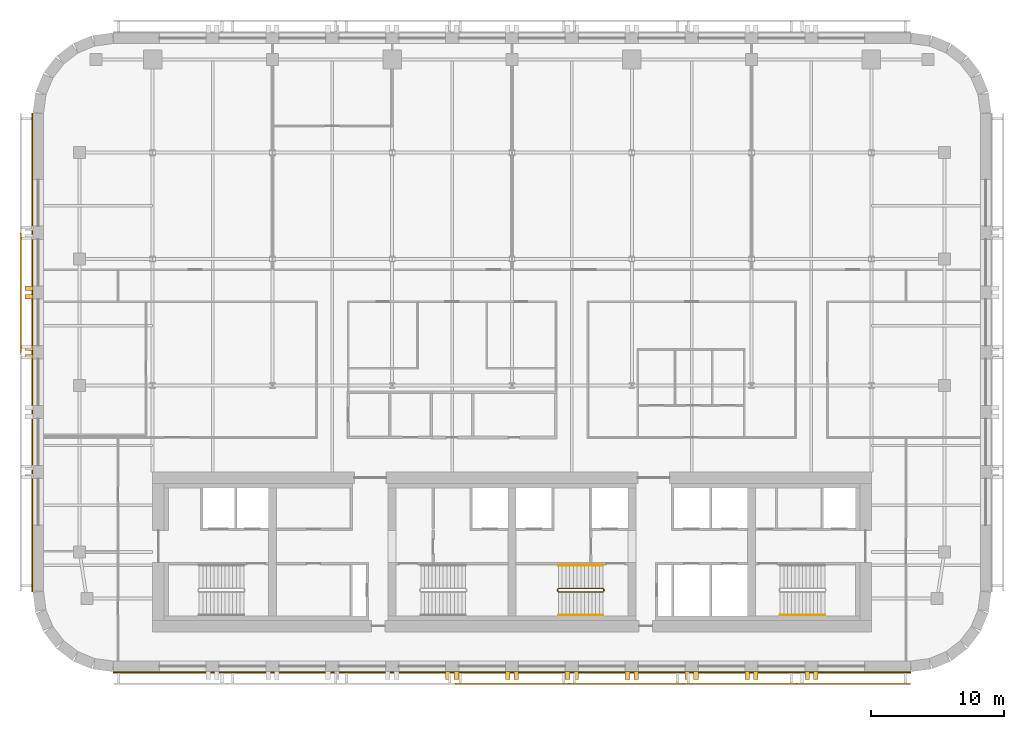
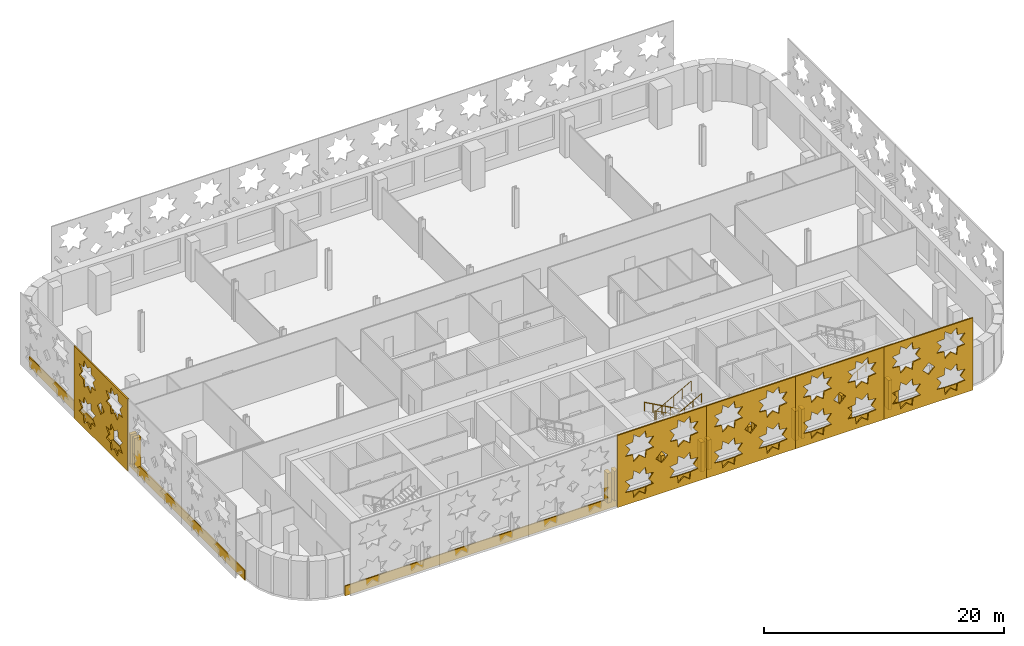
# One storey, part 10 of 12: 25 coverings, 4 railings.
"""IFC4 building model written with IfcOpenShell, lengths in metres."""

from ifc_helpers import new_model, si_unit, direction, frame, origin, origin_2d, place, context, subcontext, project, spatial, polyline, circle, outline, extrude, material, layer, layer_set, type_object, element, save


model = new_model("IFC4")

# Units and contexts
model_context = context("Model", 3, precision=1e-05, world=origin(), true_north=direction((0.0, 1.0)))
body_context = subcontext(model_context, "Body", "Model", "MODEL_VIEW")
ifc_project = project(units=[si_unit("LENGTHUNIT", "METRE"), si_unit("AREAUNIT", "SQUARE_METRE"), si_unit("VOLUMEUNIT", "CUBIC_METRE"), si_unit("PLANEANGLEUNIT", "RADIAN"), si_unit("MASSUNIT", "GRAM", prefix="KILO")], contexts=[model_context])

# Site, building, storey
site_placement = place(None, origin())
site = spatial("IfcSite", under=ifc_project, at=site_placement, CompositionType="ELEMENT")
building_placement = place(site_placement, origin())
building = spatial("IfcBuilding", under=site, at=building_placement, Name="Zellij Exchange Tower", CompositionType="ELEMENT")
storey_placement = place(building_placement, frame((0.0, 0.0, 204.5)))
storey = spatial("IfcBuildingStorey", under=building, at=storey_placement, Name="L47", CompositionType="ELEMENT", Elevation=204.5)

# Railings
ifc_material_1 = material(Name="Stainless steel", Category="steel")
railing_type_1 = type_object("IfcRailingType", Name="CORE-RG stair guard", PredefinedType="GUARDRAIL", material=ifc_material_1)
railing_1_placement = place(storey_placement, frame((6.89990234375, -10.800048828125, 0.0)))
element("IfcRailing", 1, at=railing_1_placement, inside=storey, type_object=railing_type_1, Name="ST3 stair guard L47", PredefinedType="GUARDRAIL", context=body_context, shape_type="SweptSolid", body=[
    extrude(circle(Radius=0.02392578125, at=origin_2d()), frame((0.0, 0.0, 1.076171875), z_axis=(0.0, -1.0, 0.0), x_axis=(1.0, 0.0, 0.0)), (0.0, 0.0, 1.0), 0.14990234375),
    extrude(circle(Radius=0.02392578125, at=origin_2d()), frame((0.0, -0.14990234375, 1.076171875), z_axis=(-0.193691321961, 0.777613689637, 0.598164376644), x_axis=(-0.970351222016, -0.241699205484, 0.0)), (0.0, 0.0, 1.0), 0.257080078125),
    extrude(circle(Radius=0.02392578125, at=origin_2d()), frame((-0.0498046875, 0.050048828125, 1.22998046875), z_axis=(-0.876421534553, 0.0, 0.481544695509), x_axis=(0.0, -1.0, 0.0)), (0.0, 0.0, 1.0), 3.833984375),
    extrude(circle(Radius=0.02392578125, at=origin_2d()), frame((-3.409912109375, 0.050048828125, 3.076171875), z_axis=(-0.707106781187, -0.707106781187, 0.0), x_axis=(0.707106781187, -0.707106781187, 0.0)), (0.0, 0.0, 1.0), 0.07080078125),
    extrude(circle(Radius=0.02392578125, at=origin_2d()), frame((-3.4599609375, 0.0, 3.076171875), z_axis=(0.0, -1.0, 0.0), x_axis=(1.0, 0.0, 0.0)), (0.0, 0.0, 1.0), 0.14990234375),
    extrude(circle(Radius=0.02392578125, at=origin_2d()), frame((-3.4599609375, -0.14990234375, 3.076171875), z_axis=(0.295599637079, -0.295599637079, 0.908428152975), x_axis=(0.707106781187, 0.707106781187, 0.0)), (0.0, 0.0, 1.0), 0.16943359375),
    extrude(circle(Radius=0.02392578125, at=origin_2d()), frame((-3.409912109375, -0.199951171875, 3.22998046875), z_axis=(0.876421534553, 0.0, 0.481544695509), x_axis=(0.0, 1.0, 0.0)), (0.0, 0.0, 1.0), 3.833984375),
    extrude(circle(Radius=0.02099609375, at=origin_2d()), origin(), (0.0, 0.0, 1.0), 1.052001953125),
    extrude(circle(Radius=0.02099609375, at=origin_2d()), frame((0.0, -0.14990234375, 0.0)), (0.0, 0.0, 1.0), 1.052001953125),
    extrude(circle(Radius=0.02099609375, at=origin_2d()), frame((-0.0498046875, 0.050048828125, 0.15380859375)), (0.0, 0.0, 1.0), 1.052001953125),
    extrude(circle(Radius=0.02099609375, at=origin_2d()), frame((-0.889892578125, 0.050048828125, 0.615234375)), (0.0, 0.0, 1.0), 1.052001953125),
    extrude(circle(Radius=0.02099609375, at=origin_2d()), frame((-1.72998046875, 0.050048828125, 1.076904296875)), (0.0, 0.0, 1.0), 1.052001953125),
    extrude(circle(Radius=0.02099609375, at=origin_2d()), frame((-2.56982421875, 0.050048828125, 1.53857421875)), (0.0, 0.0, 1.0), 1.052001953125),
    extrude(circle(Radius=0.02099609375, at=origin_2d()), frame((-3.409912109375, 0.050048828125, 2.0)), (0.0, 0.0, 1.0), 1.052001953125),
    extrude(circle(Radius=0.02099609375, at=origin_2d()), frame((-3.4599609375, 0.0, 2.0)), (0.0, 0.0, 1.0), 1.052001953125),
    extrude(circle(Radius=0.02099609375, at=origin_2d()), frame((-3.4599609375, -0.14990234375, 2.0)), (0.0, 0.0, 1.0), 1.052001953125),
    extrude(circle(Radius=0.02099609375, at=origin_2d()), frame((-3.409912109375, -0.199951171875, 2.15380859375)), (0.0, 0.0, 1.0), 1.052001953125),
    extrude(circle(Radius=0.02099609375, at=origin_2d()), frame((-2.56982421875, -0.199951171875, 2.615234375)), (0.0, 0.0, 1.0), 1.052001953125),
    extrude(circle(Radius=0.02099609375, at=origin_2d()), frame((-1.72998046875, -0.199951171875, 3.076904296875)), (0.0, 0.0, 1.0), 1.052001953125),
    extrude(circle(Radius=0.02099609375, at=origin_2d()), frame((-0.889892578125, -0.199951171875, 3.53857421875)), (0.0, 0.0, 1.0), 1.052001953125),
    extrude(circle(Radius=0.02099609375, at=origin_2d()), frame((-0.0498046875, -0.199951171875, 4.0)), (0.0, 0.0, 1.0), 1.052001953125),
])
railing_type_2 = type_object("IfcRailingType", Name="CORE-RH stair handrail", PredefinedType="HANDRAIL", material=ifc_material_1)
railing_2_placement = place(storey_placement, frame((6.85009765625, -9.0, 0.15380859375)))
element("IfcRailing", 2, at=railing_2_placement, inside=storey, type_object=railing_type_2, Name="ST3 stair handrail L47", PredefinedType="HANDRAIL", context=body_context, shape_type="SweptSolid", body=[
    extrude(circle(Radius=0.02392578125, at=origin_2d()), frame((0.0, 0.0, 0.8759765625), z_axis=(-0.876421534553, 0.0, 0.481544695509), x_axis=(0.0, -1.0, 0.0)), (0.0, 0.0, 1.0), 3.833984375),
    extrude(circle(Radius=0.02099609375, at=origin_2d()), origin(), (0.0, 0.0, 1.0), 0.851806640625),
    extrude(circle(Radius=0.02099609375, at=origin_2d()), frame((-0.840087890625, 0.0, 0.46142578125)), (0.0, 0.0, 1.0), 0.851806640625),
    extrude(circle(Radius=0.02099609375, at=origin_2d()), frame((-1.68017578125, 0.0, 0.923095703125)), (0.0, 0.0, 1.0), 0.851806640625),
    extrude(circle(Radius=0.02099609375, at=origin_2d()), frame((-2.52001953125, 0.0, 1.384765625)), (0.0, 0.0, 1.0), 0.851806640625),
    extrude(circle(Radius=0.02099609375, at=origin_2d()), frame((-3.360107421875, 0.0, 1.84619140625)), (0.0, 0.0, 1.0), 0.851806640625),
])
for number, where, name in (
    (3, (3.489990234375, -12.75, 2.15380859375), "ST3 stair handrail L47"),
    (4, (20.14990234375, -12.75, 0.15380859375), "ST4 stair handrail L47"),
):
    element("IfcRailing", number, at=place(storey_placement, frame(where)), inside=storey, type_object=railing_type_2, Name=name, PredefinedType="HANDRAIL", context=body_context, shape_type="SweptSolid", body=[
        extrude(circle(Radius=0.02392578125, at=origin_2d()), frame((0.0, 0.0, 0.8759765625), z_axis=(0.876421534553, 0.0, 0.481544695509), x_axis=(0.0, 1.0, 0.0)), (0.0, 0.0, 1.0), 3.833984375),
        extrude(circle(Radius=0.02099609375, at=origin_2d()), origin(), (0.0, 0.0, 1.0), 0.851806640625),
        extrude(circle(Radius=0.02099609375, at=origin_2d()), frame((0.840087890625, 0.0, 0.46142578125)), (0.0, 0.0, 1.0), 0.851806640625),
        extrude(circle(Radius=0.02099609375, at=origin_2d()), frame((1.68017578125, 0.0, 0.923095703125)), (0.0, 0.0, 1.0), 0.851806640625),
        extrude(circle(Radius=0.02099609375, at=origin_2d()), frame((2.52001953125, 0.0, 1.384765625)), (0.0, 0.0, 1.0), 0.851806640625),
        extrude(circle(Radius=0.02099609375, at=origin_2d()), frame((3.360107421875, 0.0, 1.84619140625)), (0.0, 0.0, 1.0), 0.851806640625),
    ])

# Coverings
ifc_material_2 = material(Name="Limestone cladding", Category="masonry")
covering_type_1 = type_object("IfcCoveringType", Name="ENV-CV3 Stone pier 350x600", PredefinedType="CLADDING", material=ifc_material_2)
covering_1_placement = place(storey_placement, frame((0.0, 0.0, 0.800048828125)))
element("IfcCovering", 5, at=covering_1_placement, inside=storey, type_object=covering_type_1, Name="Stone pier", PredefinedType="CLADDING", context=body_context, shape_type="SweptSolid", body=[
    extrude(outline(polyline([(-5.0, -17.0), (-4.64990234375, -17.0), (-4.64990234375, -17.60009765625), (-5.0, -17.60009765625), (-5.0, -17.0)])), origin(), (0.0, 0.0, 1.0), 3.0),
])
covering_2_placement = place(storey_placement, frame((0.0, 0.0, 0.800048828125)))
element("IfcCovering", 6, at=covering_2_placement, inside=storey, type_object=covering_type_1, Name="Stone pier", PredefinedType="CLADDING", context=body_context, shape_type="SweptSolid", body=[
    extrude(outline(polyline([(-4.35009765625, -17.0), (-4.0, -17.0), (-4.0, -17.60009765625), (-4.35009765625, -17.60009765625), (-4.35009765625, -17.0)])), origin(), (0.0, 0.0, 1.0), 3.0),
])
covering_3_placement = place(storey_placement, frame((0.0, 0.0, 0.800048828125)))
element("IfcCovering", 7, at=covering_3_placement, inside=storey, type_object=covering_type_1, Name="Stone pier", PredefinedType="CLADDING", context=body_context, shape_type="SweptSolid", body=[
    extrude(outline(polyline([(-0.5, -17.0), (-0.14990234375, -17.0), (-0.14990234375, -17.60009765625), (-0.5, -17.60009765625), (-0.5, -17.0)])), origin(), (0.0, 0.0, 1.0), 3.0),
])
covering_4_placement = place(storey_placement, frame((0.0, 0.0, 0.800048828125)))
element("IfcCovering", 8, at=covering_4_placement, inside=storey, type_object=covering_type_1, Name="Stone pier", PredefinedType="CLADDING", context=body_context, shape_type="SweptSolid", body=[
    extrude(outline(polyline([(0.14990234375, -17.0), (0.5, -17.0), (0.5, -17.60009765625), (0.14990234375, -17.60009765625), (0.14990234375, -17.0)])), origin(), (0.0, 0.0, 1.0), 3.0),
])
covering_5_placement = place(storey_placement, frame((0.0, 0.0, 0.800048828125)))
element("IfcCovering", 9, at=covering_5_placement, inside=storey, type_object=covering_type_1, Name="Stone pier", PredefinedType="CLADDING", context=body_context, shape_type="SweptSolid", body=[
    extrude(outline(polyline([(4.0, -17.0), (4.35009765625, -17.0), (4.35009765625, -17.60009765625), (4.0, -17.60009765625), (4.0, -17.0)])), origin(), (0.0, 0.0, 1.0), 3.0),
])
covering_6_placement = place(storey_placement, frame((0.0, 0.0, 0.800048828125)))
element("IfcCovering", 10, at=covering_6_placement, inside=storey, type_object=covering_type_1, Name="Stone pier", PredefinedType="CLADDING", context=body_context, shape_type="SweptSolid", body=[
    extrude(outline(polyline([(4.64990234375, -17.0), (5.0, -17.0), (5.0, -17.60009765625), (4.64990234375, -17.60009765625), (4.64990234375, -17.0)])), origin(), (0.0, 0.0, 1.0), 3.0),
])
covering_7_placement = place(storey_placement, frame((0.0, 0.0, 0.800048828125)))
element("IfcCovering", 11, at=covering_7_placement, inside=storey, type_object=covering_type_1, Name="Stone pier", PredefinedType="CLADDING", context=body_context, shape_type="SweptSolid", body=[
    extrude(outline(polyline([(8.5, -17.0), (8.85009765625, -17.0), (8.85009765625, -17.60009765625), (8.5, -17.60009765625), (8.5, -17.0)])), origin(), (0.0, 0.0, 1.0), 3.0),
])
covering_8_placement = place(storey_placement, frame((0.0, 0.0, 0.800048828125)))
element("IfcCovering", 12, at=covering_8_placement, inside=storey, type_object=covering_type_1, Name="Stone pier", PredefinedType="CLADDING", context=body_context, shape_type="SweptSolid", body=[
    extrude(outline(polyline([(9.14990234375, -17.0), (9.5, -17.0), (9.5, -17.60009765625), (9.14990234375, -17.60009765625), (9.14990234375, -17.0)])), origin(), (0.0, 0.0, 1.0), 3.0),
])
covering_9_placement = place(storey_placement, frame((0.0, 0.0, 0.800048828125)))
element("IfcCovering", 13, at=covering_9_placement, inside=storey, type_object=covering_type_1, Name="Stone pier", PredefinedType="CLADDING", context=body_context, shape_type="SweptSolid", body=[
    extrude(outline(polyline([(13.0, -17.0), (13.35009765625, -17.0), (13.35009765625, -17.60009765625), (13.0, -17.60009765625), (13.0, -17.0)])), origin(), (0.0, 0.0, 1.0), 3.0),
])
covering_10_placement = place(storey_placement, frame((0.0, 0.0, 0.800048828125)))
element("IfcCovering", 14, at=covering_10_placement, inside=storey, type_object=covering_type_1, Name="Stone pier", PredefinedType="CLADDING", context=body_context, shape_type="SweptSolid", body=[
    extrude(outline(polyline([(13.64990234375, -17.0), (14.0, -17.0), (14.0, -17.60009765625), (13.64990234375, -17.60009765625), (13.64990234375, -17.0)])), origin(), (0.0, 0.0, 1.0), 3.0),
])
covering_11_placement = place(storey_placement, frame((0.0, 0.0, 0.800048828125)))
element("IfcCovering", 15, at=covering_11_placement, inside=storey, type_object=covering_type_1, Name="Stone pier", PredefinedType="CLADDING", context=body_context, shape_type="SweptSolid", body=[
    extrude(outline(polyline([(17.5, -17.0), (17.85009765625, -17.0), (17.85009765625, -17.60009765625), (17.5, -17.60009765625), (17.5, -17.0)])), origin(), (0.0, 0.0, 1.0), 3.0),
])
covering_12_placement = place(storey_placement, frame((0.0, 0.0, 0.800048828125)))
element("IfcCovering", 16, at=covering_12_placement, inside=storey, type_object=covering_type_1, Name="Stone pier", PredefinedType="CLADDING", context=body_context, shape_type="SweptSolid", body=[
    extrude(outline(polyline([(18.14990234375, -17.0), (18.5, -17.0), (18.5, -17.60009765625), (18.14990234375, -17.60009765625), (18.14990234375, -17.0)])), origin(), (0.0, 0.0, 1.0), 3.0),
])
covering_13_placement = place(storey_placement, frame((0.0, 0.0, 0.800048828125)))
element("IfcCovering", 17, at=covering_13_placement, inside=storey, type_object=covering_type_1, Name="Stone pier", PredefinedType="CLADDING", context=body_context, shape_type="SweptSolid", body=[
    extrude(outline(polyline([(22.0, -17.0), (22.35009765625, -17.0), (22.35009765625, -17.60009765625), (22.0, -17.60009765625), (22.0, -17.0)])), origin(), (0.0, 0.0, 1.0), 3.0),
])
covering_14_placement = place(storey_placement, frame((0.0, 0.0, 0.800048828125)))
element("IfcCovering", 18, at=covering_14_placement, inside=storey, type_object=covering_type_1, Name="Stone pier", PredefinedType="CLADDING", context=body_context, shape_type="SweptSolid", body=[
    extrude(outline(polyline([(22.64990234375, -17.0), (23.0, -17.0), (23.0, -17.60009765625), (22.64990234375, -17.60009765625), (22.64990234375, -17.0)])), origin(), (0.0, 0.0, 1.0), 3.0),
])
covering_15_placement = place(storey_placement, frame((0.0, 0.0, 0.800048828125)))
element("IfcCovering", 19, at=covering_15_placement, inside=storey, type_object=covering_type_1, Name="Stone pier", PredefinedType="CLADDING", context=body_context, shape_type="SweptSolid", body=[
    extrude(outline(polyline([(-36.0, 11.993408203125), (-36.0, 11.6435546875), (-36.60009765625, 11.6435546875), (-36.60009765625, 11.993408203125), (-36.0, 11.993408203125)])), origin(), (0.0, 0.0, 1.0), 3.0),
])
covering_16_placement = place(storey_placement, frame((0.0, 0.0, 0.800048828125)))
element("IfcCovering", 20, at=covering_16_placement, inside=storey, type_object=covering_type_1, Name="Stone pier", PredefinedType="CLADDING", context=body_context, shape_type="SweptSolid", body=[
    extrude(outline(polyline([(-36.0, 11.343505859375), (-36.0, 10.993408203125), (-36.60009765625, 10.993408203125), (-36.60009765625, 11.343505859375), (-36.0, 11.343505859375)])), origin(), (0.0, 0.0, 1.0), 3.0),
])
covering_17_placement = place(storey_placement, frame((0.0, 0.0, 0.800048828125)))
element("IfcCovering", 21, at=covering_17_placement, inside=storey, type_object=covering_type_1, Name="Stone pier", PredefinedType="CLADDING", context=body_context, shape_type="SweptSolid", body=[
    extrude(outline(polyline([(-36.0, 7.5), (-36.0, 7.14990234375), (-36.60009765625, 7.14990234375), (-36.60009765625, 7.5), (-36.0, 7.5)])), origin(), (0.0, 0.0, 1.0), 3.0),
])
covering_18_placement = place(storey_placement, frame((0.0, 0.0, 0.800048828125)))
element("IfcCovering", 22, at=covering_18_placement, inside=storey, type_object=covering_type_1, Name="Stone pier", PredefinedType="CLADDING", context=body_context, shape_type="SweptSolid", body=[
    extrude(outline(polyline([(-36.0, 6.85009765625), (-36.0, 6.5), (-36.60009765625, 6.5), (-36.60009765625, 6.85009765625), (-36.0, 6.85009765625)])), origin(), (0.0, 0.0, 1.0), 3.0),
])
ifc_layer_1 = layer(ifc_material_2, 0.10009765625)
ifc_layer_set_1 = layer_set([ifc_layer_1], Name="Limestone cladding")
covering_type_2 = type_object("IfcCoveringType", Name="ENV-CV9 Stone spandrel band 100", PredefinedType="CLADDING", material=ifc_layer_set_1)
covering_19_placement = place(storey_placement, frame((0.0, 0.0, -0.199951171875)))
element("IfcCovering", 23, at=covering_19_placement, inside=storey, type_object=covering_type_2, Name="Stone spandrel band", PredefinedType="CLADDING", context=body_context, shape_type="SweptSolid", body=[
    extrude(outline(polyline([(-29.973876953125, -17.0), (29.973876953125, -17.0), (29.980224609375, -17.10009765625), (-29.980224609375, -17.10009765625), (-29.973876953125, -17.0)])), origin(), (0.0, 0.0, 1.0), 1.0),
])
covering_20_placement = place(storey_placement, frame((0.0, 0.0, -0.199951171875)))
element("IfcCovering", 24, at=covering_20_placement, inside=storey, type_object=covering_type_2, Name="Stone spandrel band", PredefinedType="CLADDING", context=body_context, shape_type="SweptSolid", body=[
    extrude(outline(polyline([(-36.0, 24.973876953125), (-36.0, -10.973876953125), (-36.10009765625, -10.980224609375), (-36.10009765625, 24.980224609375), (-36.0, 24.973876953125)])), origin(), (0.0, 0.0, 1.0), 1.0),
])
ifc_material_3 = material(Name="Limestone screen", Category="masonry")
ifc_layer_2 = layer(ifc_material_3, 0.1201171875)
ifc_layer_set_2 = layer_set([ifc_layer_2], Name="Limestone screen")
covering_type_3 = type_object("IfcCoveringType", Name="ENV-SC1 Pierced stone screen 120", PredefinedType="USERDEFINED", material=ifc_layer_set_2)
covering_21_placement = place(storey_placement, frame((-36.909912109375, 15.973876953125, 0.300048828125), z_axis=(0.0, 0.0, 1.0), x_axis=(0.0, -1.0, 0.0)))
element("IfcCovering", 25, at=covering_21_placement, inside=storey, type_object=covering_type_3, Name="Pierced stone screen", ObjectType="SCREEN", PredefinedType="USERDEFINED", context=body_context, shape_type="SweptSolid", body=[
    extrude(outline(polyline([(0.0, 0.0), (8.973876953125, 0.0), (8.973876953125, 7.35009765625), (0.0, 7.35009765625), (0.0, 0.0)]), holes=[polyline([(3.6015625, 2.39990234375), (2.887939453125, 2.48193359375), (2.805908203125, 3.195556640625), (2.243408203125, 2.748779296875), (1.680908203125, 3.195556640625), (1.59912109375, 2.48193359375), (0.88525390625, 2.39990234375), (1.33203125, 1.83740234375), (0.88525390625, 1.27490234375), (1.59912109375, 1.193115234375), (1.680908203125, 0.4794921875), (2.243408203125, 0.926025390625), (2.805908203125, 0.4794921875), (2.887939453125, 1.193115234375), (3.6015625, 1.27490234375), (3.15478515625, 1.83740234375), (3.6015625, 2.39990234375)]), polyline([(3.6015625, 6.074951171875), (2.887939453125, 6.156982421875), (2.805908203125, 6.87060546875), (2.243408203125, 6.423828125), (1.680908203125, 6.87060546875), (1.59912109375, 6.156982421875), (0.88525390625, 6.074951171875), (1.33203125, 5.512451171875), (0.88525390625, 4.949951171875), (1.59912109375, 4.867919921875), (1.680908203125, 4.154296875), (2.243408203125, 4.60107421875), (2.805908203125, 4.154296875), (2.887939453125, 4.867919921875), (3.6015625, 4.949951171875), (3.15478515625, 5.512451171875), (3.6015625, 6.074951171875)]), polyline([(8.08837890625, 2.39990234375), (7.374755859375, 2.48193359375), (7.29296875, 3.195556640625), (6.730224609375, 2.748779296875), (6.167724609375, 3.195556640625), (6.0859375, 2.48193359375), (5.372314453125, 2.39990234375), (5.81884765625, 1.83740234375), (5.372314453125, 1.27490234375), (6.0859375, 1.193115234375), (6.167724609375, 0.4794921875), (6.730224609375, 0.926025390625), (7.29296875, 0.4794921875), (7.374755859375, 1.193115234375), (8.08837890625, 1.27490234375), (7.6416015625, 1.83740234375), (8.08837890625, 2.39990234375)]), polyline([(8.08837890625, 6.074951171875), (7.374755859375, 6.156982421875), (7.29296875, 6.87060546875), (6.730224609375, 6.423828125), (6.167724609375, 6.87060546875), (6.0859375, 6.156982421875), (5.372314453125, 6.074951171875), (5.81884765625, 5.512451171875), (5.372314453125, 4.949951171875), (6.0859375, 4.867919921875), (6.167724609375, 4.154296875), (6.730224609375, 4.60107421875), (7.29296875, 4.154296875), (7.374755859375, 4.867919921875), (8.08837890625, 4.949951171875), (7.6416015625, 5.512451171875), (8.08837890625, 6.074951171875)]), polyline([(5.074951171875, 3.675048828125), (4.48681640625, 4.262939453125), (3.89892578125, 3.675048828125), (4.48681640625, 3.0869140625), (5.074951171875, 3.675048828125)])]), frame((0.0, 0.06005859375, 0.0), z_axis=(0.0, -1.0, 0.0), x_axis=(1.0, 0.0, 0.0)), (0.0, 0.0, 1.0), 0.1201171875),
])
covering_22_placement = place(storey_placement, frame((-4.2783203125, -17.909912109375, 0.300048828125), z_axis=(0.0, 0.0, 1.0), x_axis=(1.0, 0.0, 0.0)))
element("IfcCovering", 26, at=covering_22_placement, inside=storey, type_object=covering_type_3, Name="Pierced stone screen", ObjectType="SCREEN", PredefinedType="USERDEFINED", context=body_context, shape_type="SweptSolid", body=[
    extrude(outline(polyline([(0.0, 0.0), (8.556396484375, 0.0), (8.556396484375, 7.35009765625), (0.0, 7.35009765625), (0.0, 0.0)]), holes=[polyline([(3.497314453125, 2.39990234375), (2.78369140625, 2.48193359375), (2.70166015625, 3.195556640625), (2.13916015625, 2.748779296875), (1.57666015625, 3.195556640625), (1.49462890625, 2.48193359375), (0.781005859375, 2.39990234375), (1.227783203125, 1.83740234375), (0.781005859375, 1.27490234375), (1.49462890625, 1.193115234375), (1.57666015625, 0.4794921875), (2.13916015625, 0.926025390625), (2.70166015625, 0.4794921875), (2.78369140625, 1.193115234375), (3.497314453125, 1.27490234375), (3.050537109375, 1.83740234375), (3.497314453125, 2.39990234375)]), polyline([(3.497314453125, 6.074951171875), (2.78369140625, 6.156982421875), (2.70166015625, 6.87060546875), (2.13916015625, 6.423828125), (1.57666015625, 6.87060546875), (1.49462890625, 6.156982421875), (0.781005859375, 6.074951171875), (1.227783203125, 5.512451171875), (0.781005859375, 4.949951171875), (1.49462890625, 4.867919921875), (1.57666015625, 4.154296875), (2.13916015625, 4.60107421875), (2.70166015625, 4.154296875), (2.78369140625, 4.867919921875), (3.497314453125, 4.949951171875), (3.050537109375, 5.512451171875), (3.497314453125, 6.074951171875)]), polyline([(7.775390625, 2.39990234375), (7.061767578125, 2.48193359375), (6.97998046875, 3.195556640625), (6.417236328125, 2.748779296875), (5.854736328125, 3.195556640625), (5.77294921875, 2.48193359375), (5.05908203125, 2.39990234375), (5.505859375, 1.83740234375), (5.05908203125, 1.27490234375), (5.77294921875, 1.193115234375), (5.854736328125, 0.4794921875), (6.417236328125, 0.926025390625), (6.97998046875, 0.4794921875), (7.061767578125, 1.193115234375), (7.775390625, 1.27490234375), (7.32861328125, 1.83740234375), (7.775390625, 2.39990234375)]), polyline([(7.775390625, 6.074951171875), (7.061767578125, 6.156982421875), (6.97998046875, 6.87060546875), (6.417236328125, 6.423828125), (5.854736328125, 6.87060546875), (5.77294921875, 6.156982421875), (5.05908203125, 6.074951171875), (5.505859375, 5.512451171875), (5.05908203125, 4.949951171875), (5.77294921875, 4.867919921875), (5.854736328125, 4.154296875), (6.417236328125, 4.60107421875), (6.97998046875, 4.154296875), (7.061767578125, 4.867919921875), (7.775390625, 4.949951171875), (7.32861328125, 5.512451171875), (7.775390625, 6.074951171875)]), polyline([(4.8662109375, 3.675048828125), (4.2783203125, 4.262939453125), (3.690185546875, 3.675048828125), (4.2783203125, 3.0869140625), (4.8662109375, 3.675048828125)])]), frame((0.0, 0.06005859375, 0.0), z_axis=(0.0, -1.0, 0.0), x_axis=(1.0, 0.0, 0.0)), (0.0, 0.0, 1.0), 0.1201171875),
])
covering_23_placement = place(storey_placement, frame((4.2783203125, -17.909912109375, 0.300048828125), z_axis=(0.0, 0.0, 1.0), x_axis=(1.0, 0.0, 0.0)))
element("IfcCovering", 27, at=covering_23_placement, inside=storey, type_object=covering_type_3, Name="Pierced stone screen", ObjectType="SCREEN", PredefinedType="USERDEFINED", context=body_context, shape_type="SweptSolid", body=[
    extrude(outline(polyline([(0.0, 0.0), (8.556396484375, 0.0), (8.556396484375, 7.35009765625), (0.0, 7.35009765625), (0.0, 0.0)]), holes=[polyline([(3.497314453125, 2.39990234375), (2.78369140625, 2.48193359375), (2.70166015625, 3.195556640625), (2.13916015625, 2.748779296875), (1.57666015625, 3.195556640625), (1.49462890625, 2.48193359375), (0.781005859375, 2.39990234375), (1.227783203125, 1.83740234375), (0.781005859375, 1.27490234375), (1.49462890625, 1.193115234375), (1.57666015625, 0.4794921875), (2.13916015625, 0.926025390625), (2.70166015625, 0.4794921875), (2.78369140625, 1.193115234375), (3.497314453125, 1.27490234375), (3.050537109375, 1.83740234375), (3.497314453125, 2.39990234375)]), polyline([(3.497314453125, 6.074951171875), (2.78369140625, 6.156982421875), (2.70166015625, 6.87060546875), (2.13916015625, 6.423828125), (1.57666015625, 6.87060546875), (1.49462890625, 6.156982421875), (0.781005859375, 6.074951171875), (1.227783203125, 5.512451171875), (0.781005859375, 4.949951171875), (1.49462890625, 4.867919921875), (1.57666015625, 4.154296875), (2.13916015625, 4.60107421875), (2.70166015625, 4.154296875), (2.78369140625, 4.867919921875), (3.497314453125, 4.949951171875), (3.050537109375, 5.512451171875), (3.497314453125, 6.074951171875)]), polyline([(7.775390625, 2.39990234375), (7.061767578125, 2.48193359375), (6.97998046875, 3.195556640625), (6.417236328125, 2.748779296875), (5.854736328125, 3.195556640625), (5.77294921875, 2.48193359375), (5.05908203125, 2.39990234375), (5.505859375, 1.83740234375), (5.05908203125, 1.27490234375), (5.77294921875, 1.193115234375), (5.854736328125, 0.4794921875), (6.417236328125, 0.926025390625), (6.97998046875, 0.4794921875), (7.061767578125, 1.193115234375), (7.775390625, 1.27490234375), (7.32861328125, 1.83740234375), (7.775390625, 2.39990234375)]), polyline([(7.775390625, 6.074951171875), (7.061767578125, 6.156982421875), (6.97998046875, 6.87060546875), (6.417236328125, 6.423828125), (5.854736328125, 6.87060546875), (5.77294921875, 6.156982421875), (5.05908203125, 6.074951171875), (5.505859375, 5.512451171875), (5.05908203125, 4.949951171875), (5.77294921875, 4.867919921875), (5.854736328125, 4.154296875), (6.417236328125, 4.60107421875), (6.97998046875, 4.154296875), (7.061767578125, 4.867919921875), (7.775390625, 4.949951171875), (7.32861328125, 5.512451171875), (7.775390625, 6.074951171875)]), polyline([(4.8662109375, 3.675048828125), (4.2783203125, 4.262939453125), (3.690185546875, 3.675048828125), (4.2783203125, 3.0869140625), (4.8662109375, 3.675048828125)])]), frame((0.0, 0.06005859375, 0.0), z_axis=(0.0, -1.0, 0.0), x_axis=(1.0, 0.0, 0.0)), (0.0, 0.0, 1.0), 0.1201171875),
])
covering_24_placement = place(storey_placement, frame((12.834716796875, -17.909912109375, 0.300048828125), z_axis=(0.0, 0.0, 1.0), x_axis=(1.0, 0.0, 0.0)))
element("IfcCovering", 28, at=covering_24_placement, inside=storey, type_object=covering_type_3, Name="Pierced stone screen", ObjectType="SCREEN", PredefinedType="USERDEFINED", context=body_context, shape_type="SweptSolid", body=[
    extrude(outline(polyline([(0.0, 0.0), (8.556396484375, 0.0), (8.556396484375, 7.35009765625), (0.0, 7.35009765625), (0.0, 0.0)]), holes=[polyline([(3.497314453125, 2.39990234375), (2.78369140625, 2.48193359375), (2.70166015625, 3.195556640625), (2.13916015625, 2.748779296875), (1.57666015625, 3.195556640625), (1.49462890625, 2.48193359375), (0.781005859375, 2.39990234375), (1.227783203125, 1.83740234375), (0.781005859375, 1.27490234375), (1.49462890625, 1.193115234375), (1.57666015625, 0.4794921875), (2.13916015625, 0.926025390625), (2.70166015625, 0.4794921875), (2.78369140625, 1.193115234375), (3.497314453125, 1.27490234375), (3.050537109375, 1.83740234375), (3.497314453125, 2.39990234375)]), polyline([(3.497314453125, 6.074951171875), (2.78369140625, 6.156982421875), (2.70166015625, 6.87060546875), (2.13916015625, 6.423828125), (1.57666015625, 6.87060546875), (1.49462890625, 6.156982421875), (0.781005859375, 6.074951171875), (1.227783203125, 5.512451171875), (0.781005859375, 4.949951171875), (1.49462890625, 4.867919921875), (1.57666015625, 4.154296875), (2.13916015625, 4.60107421875), (2.70166015625, 4.154296875), (2.78369140625, 4.867919921875), (3.497314453125, 4.949951171875), (3.050537109375, 5.512451171875), (3.497314453125, 6.074951171875)]), polyline([(7.775390625, 2.39990234375), (7.061767578125, 2.48193359375), (6.97998046875, 3.195556640625), (6.417236328125, 2.748779296875), (5.854736328125, 3.195556640625), (5.77294921875, 2.48193359375), (5.05908203125, 2.39990234375), (5.505859375, 1.83740234375), (5.05908203125, 1.27490234375), (5.77294921875, 1.193115234375), (5.854736328125, 0.4794921875), (6.417236328125, 0.926025390625), (6.97998046875, 0.4794921875), (7.061767578125, 1.193115234375), (7.775390625, 1.27490234375), (7.32861328125, 1.83740234375), (7.775390625, 2.39990234375)]), polyline([(7.775390625, 6.074951171875), (7.061767578125, 6.156982421875), (6.97998046875, 6.87060546875), (6.417236328125, 6.423828125), (5.854736328125, 6.87060546875), (5.77294921875, 6.156982421875), (5.05908203125, 6.074951171875), (5.505859375, 5.512451171875), (5.05908203125, 4.949951171875), (5.77294921875, 4.867919921875), (5.854736328125, 4.154296875), (6.417236328125, 4.60107421875), (6.97998046875, 4.154296875), (7.061767578125, 4.867919921875), (7.775390625, 4.949951171875), (7.32861328125, 5.512451171875), (7.775390625, 6.074951171875)]), polyline([(4.8662109375, 3.675048828125), (4.2783203125, 4.262939453125), (3.690185546875, 3.675048828125), (4.2783203125, 3.0869140625), (4.8662109375, 3.675048828125)])]), frame((0.0, 0.06005859375, 0.0), z_axis=(0.0, -1.0, 0.0), x_axis=(1.0, 0.0, 0.0)), (0.0, 0.0, 1.0), 0.1201171875),
])
covering_25_placement = place(storey_placement, frame((21.39111328125, -17.909912109375, 0.300048828125), z_axis=(0.0, 0.0, 1.0), x_axis=(1.0, 0.0, 0.0)))
element("IfcCovering", 29, at=covering_25_placement, inside=storey, type_object=covering_type_3, Name="Pierced stone screen", ObjectType="SCREEN", PredefinedType="USERDEFINED", context=body_context, shape_type="SweptSolid", body=[
    extrude(outline(polyline([(0.0, 0.0), (8.556396484375, 0.0), (8.556396484375, 7.35009765625), (0.0, 7.35009765625), (0.0, 0.0)]), holes=[polyline([(3.497314453125, 2.39990234375), (2.78369140625, 2.48193359375), (2.70166015625, 3.195556640625), (2.13916015625, 2.748779296875), (1.57666015625, 3.195556640625), (1.49462890625, 2.48193359375), (0.781005859375, 2.39990234375), (1.227783203125, 1.83740234375), (0.781005859375, 1.27490234375), (1.49462890625, 1.193115234375), (1.57666015625, 0.4794921875), (2.13916015625, 0.926025390625), (2.70166015625, 0.4794921875), (2.78369140625, 1.193115234375), (3.497314453125, 1.27490234375), (3.050537109375, 1.83740234375), (3.497314453125, 2.39990234375)]), polyline([(3.497314453125, 6.074951171875), (2.78369140625, 6.156982421875), (2.70166015625, 6.87060546875), (2.13916015625, 6.423828125), (1.57666015625, 6.87060546875), (1.49462890625, 6.156982421875), (0.781005859375, 6.074951171875), (1.227783203125, 5.512451171875), (0.781005859375, 4.949951171875), (1.49462890625, 4.867919921875), (1.57666015625, 4.154296875), (2.13916015625, 4.60107421875), (2.70166015625, 4.154296875), (2.78369140625, 4.867919921875), (3.497314453125, 4.949951171875), (3.050537109375, 5.512451171875), (3.497314453125, 6.074951171875)]), polyline([(7.775390625, 2.39990234375), (7.061767578125, 2.48193359375), (6.97998046875, 3.195556640625), (6.417236328125, 2.748779296875), (5.854736328125, 3.195556640625), (5.77294921875, 2.48193359375), (5.05908203125, 2.39990234375), (5.505859375, 1.83740234375), (5.05908203125, 1.27490234375), (5.77294921875, 1.193115234375), (5.854736328125, 0.4794921875), (6.417236328125, 0.926025390625), (6.97998046875, 0.4794921875), (7.061767578125, 1.193115234375), (7.775390625, 1.27490234375), (7.32861328125, 1.83740234375), (7.775390625, 2.39990234375)]), polyline([(7.775390625, 6.074951171875), (7.061767578125, 6.156982421875), (6.97998046875, 6.87060546875), (6.417236328125, 6.423828125), (5.854736328125, 6.87060546875), (5.77294921875, 6.156982421875), (5.05908203125, 6.074951171875), (5.505859375, 5.512451171875), (5.05908203125, 4.949951171875), (5.77294921875, 4.867919921875), (5.854736328125, 4.154296875), (6.417236328125, 4.60107421875), (6.97998046875, 4.154296875), (7.061767578125, 4.867919921875), (7.775390625, 4.949951171875), (7.32861328125, 5.512451171875), (7.775390625, 6.074951171875)]), polyline([(4.8662109375, 3.675048828125), (4.2783203125, 4.262939453125), (3.690185546875, 3.675048828125), (4.2783203125, 3.0869140625), (4.8662109375, 3.675048828125)])]), frame((0.0, 0.06005859375, 0.0), z_axis=(0.0, -1.0, 0.0), x_axis=(1.0, 0.0, 0.0)), (0.0, 0.0, 1.0), 0.1201171875),
])

save(model, "model.ifc")
